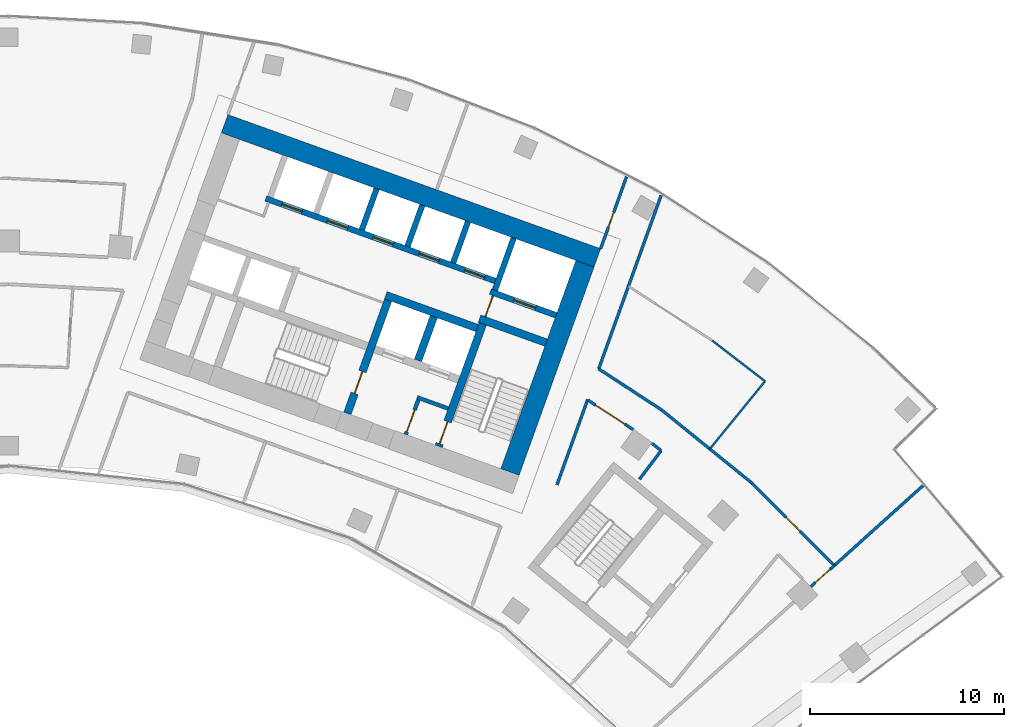
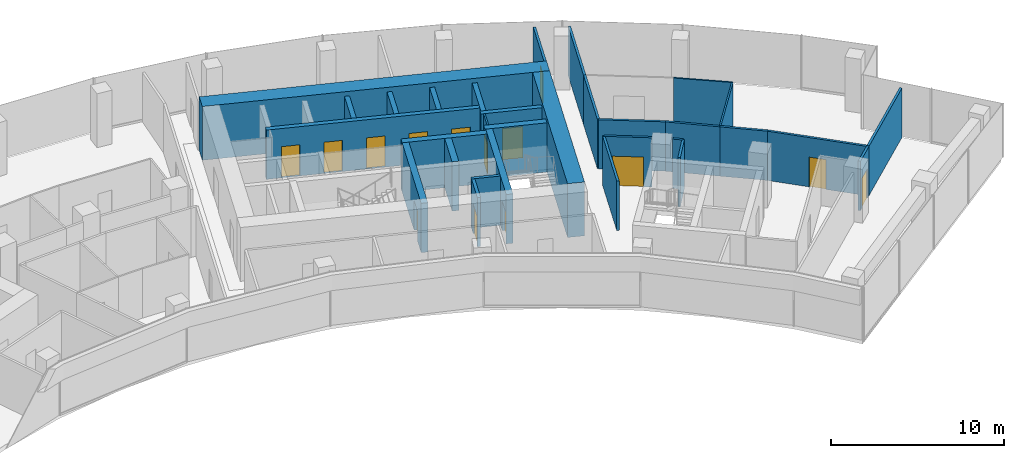
# One storey, part 16 of 19: 31 walls, 14 doors, 14 openings.
"""IFC4 building model written with IfcOpenShell, lengths in metres."""

import ifcopenshell
import ifcopenshell.guid

model = None  # the IFC model being written
_history = None  # IfcOwnerHistory: only IFC2X3 demands one
_inside = {}  # id of a spatial element -> (the spatial element, [elements in it])
_under = {}  # id of a project, library or spatial element -> (it, [spatial elements below it])
_declared = {}  # id of a project -> (the project, [libraries it declares])
_typed = {}  # id of a type object -> (the type object, [elements of that type])
_made_of = {}  # id of a material, layer set ... -> (it, [elements and type objects made of it])


def new_model(schema):
    """Start an empty IFC model of exactly this schema.

    Asked for "IFC4X3", IfcOpenShell would pick the latest addendum, in which some entities
    have other attributes; the version numbers below select the first issue.
    IFC2X3 requires an IfcOwnerHistory on every rooted entity: one is made here for all.
    """
    global model, _history
    if schema == "IFC4X3":
        model = ifcopenshell.file(schema_version=(4, 3, 0, 0))
    else:
        model = ifcopenshell.file(schema=schema)
    _inside.clear()
    _under.clear()
    _declared.clear()
    _typed.clear()
    _made_of.clear()
    _history = None
    if model.schema == "IFC2X3":
        org = make("IfcOrganization", Name="unknown")
        user = make(
            "IfcPersonAndOrganization",
            ThePerson=make("IfcPerson", FamilyName="unknown"),
            TheOrganization=org,
        )
        app = make(
            "IfcApplication",
            ApplicationDeveloper=org,
            Version="unknown",
            ApplicationFullName="unknown",
            ApplicationIdentifier="unknown",
        )
        _history = make(
            "IfcOwnerHistory",
            OwningUser=user,
            OwningApplication=app,
            ChangeAction="ADDED",
            CreationDate=0,
        )
    return model


def make(cls, **values):
    """One entity of the class cls with the attributes given. An attribute that is None is left unset."""
    return model.create_entity(
        cls, **{name: value for name, value in values.items() if value is not None}
    )


def rooted(cls, **values):
    """An entity with a GlobalId (a new one), such as an element, a storey or a relation."""
    return make(cls, GlobalId=ifcopenshell.guid.new(), OwnerHistory=_history, **values)


def si_unit(unit_type, name, prefix=None):
    """IfcSIUnit, for example si_unit("LENGTHUNIT", "METRE", prefix="MILLI")."""
    return make("IfcSIUnit", UnitType=unit_type, Prefix=prefix, Name=name)


def assignment(units):
    """IfcUnitAssignment: the units of a project."""
    return None if units is None else make("IfcUnitAssignment", Units=units)


def point(xyz):
    """IfcCartesianPoint."""
    return None if xyz is None else make("IfcCartesianPoint", Coordinates=xyz)


def direction(xyz):
    """IfcDirection."""
    return None if xyz is None else make("IfcDirection", DirectionRatios=xyz)


def frame(location, z_axis=None, x_axis=None):
    """IfcAxis2Placement3D, a coordinate frame: its origin and axes. An axis left out is left unset."""
    return make(
        "IfcAxis2Placement3D",
        Location=point(location),
        Axis=direction(z_axis),
        RefDirection=direction(x_axis),
    )


def frame_2d(location, x_axis=None):
    """IfcAxis2Placement2D, a coordinate frame in the plane: its origin and x axis."""
    return make(
        "IfcAxis2Placement2D", Location=point(location), RefDirection=direction(x_axis)
    )


def origin():
    """The frame at (0, 0, 0) with its axes left unset."""
    return frame((0.0, 0.0, 0.0))


def place(relative_to, where):
    """IfcLocalPlacement: puts the frame where relative to a parent placement (None: the world)."""
    return make(
        "IfcLocalPlacement", PlacementRelTo=relative_to, RelativePlacement=where
    )


def context(
    kind, dimensions, precision=None, world=None, true_north=None, identifier=None
):
    """IfcGeometricRepresentationContext, for example the 3D "Model" context."""
    return make(
        "IfcGeometricRepresentationContext",
        ContextIdentifier=identifier,
        ContextType=kind,
        CoordinateSpaceDimension=dimensions,
        Precision=precision,
        WorldCoordinateSystem=world,
        TrueNorth=true_north,
    )


def subcontext(parent, identifier, kind, view, scale=None):
    """IfcGeometricRepresentationSubContext, for example "Body" below "Model"."""
    return make(
        "IfcGeometricRepresentationSubContext",
        ContextIdentifier=identifier,
        ContextType=kind,
        ParentContext=parent,
        TargetScale=scale,
        TargetView=view,
    )


def project(units=None, contexts=None):
    """IfcProject with its units and contexts."""
    return rooted(
        "IfcProject",
        Name="project",
        RepresentationContexts=contexts,
        UnitsInContext=assignment(units),
    )


def spatial(cls, under=None, at=None, **own):
    """A site, building, storey or space (cls), placed at a placement, below another one or the project."""
    s = rooted(cls, ObjectPlacement=at, **own)
    if under is not None:
        _under.setdefault(under.id(), (under, []))[1].append(s)
    return s


def profile(cls, at=None, kind="AREA", **sizes):
    """A parametric profile (cls). Its sizes go by their IFC names, for example OverallWidth=200.0."""
    return make(cls, ProfileType=kind, Position=at, **sizes)


def rectangle(**sizes):
    """IfcRectangleProfileDef."""
    return profile("IfcRectangleProfileDef", **sizes)


def extrude(swept, where, along, depth):
    """IfcExtrudedAreaSolid: the profile swept, set in the frame where, extruded along a direction by depth."""
    return make(
        "IfcExtrudedAreaSolid",
        SweptArea=swept,
        Position=where,
        ExtrudedDirection=direction(along),
        Depth=depth,
    )


def shape(context_of_items, identifier, shape_type, items):
    """IfcShapeRepresentation: the items that make up one representation, for example the "Body"."""
    return make(
        "IfcShapeRepresentation",
        ContextOfItems=context_of_items,
        RepresentationIdentifier=identifier,
        RepresentationType=shape_type,
        Items=items,
    )


def material(Name=None, Category=None):
    """IfcMaterial."""
    return make("IfcMaterial", Name=Name, Category=Category)


def layer(
    of_material, thickness, ventilated=None, Name=None, Category=None, Priority=None
):
    """IfcMaterialLayer: one layer of a wall or slab, of a material (None: an air gap)."""
    return make(
        "IfcMaterialLayer",
        Material=of_material,
        LayerThickness=thickness,
        IsVentilated=ventilated,
        Name=Name,
        Category=Category,
        Priority=Priority,
    )


def layer_set(layers, Name=None):
    """IfcMaterialLayerSet."""
    return make("IfcMaterialLayerSet", MaterialLayers=layers, LayerSetName=Name)


def made_of(thing, what):
    """Note that an element or type object is made of a material, layer set ...; save() writes the relation."""
    if what is not None:
        _made_of.setdefault(what.id(), (what, []))[1].append(thing)
    return thing


def type_object(cls, material=None, **own):
    """A type object (cls), such as IfcWallType, which elements share."""
    return made_of(rooted(cls, **own), material)


def element(
    cls,
    number,
    at=None,
    inside=None,
    cuts=None,
    type_object=None,
    material=None,
    context=None,
    identifier="Body",
    shape_type=None,
    held_by="IfcProductDefinitionShape",
    body=None,
    shapes=None,
    **own,
):
    """One element of the class cls, such as IfcWall. Its Tag is "e" and its number.

    at: its placement. inside: the storey or other place that contains it. cuts: it is an
    opening in that element (IfcRelVoidsElement). A single representation is given by context,
    identifier, shape_type and body (its items); several are given by shapes. held_by: the class
    of the entity that holds the representations. save() writes the other relations.
    """
    e = rooted(cls, Tag="e%d" % number, ObjectPlacement=at, **own)
    if body is not None:
        shapes = [shape(context, identifier, shape_type, body)]
    if shapes is not None:
        e.Representation = make(held_by, Representations=shapes)
    if inside is not None:
        _inside.setdefault(inside.id(), (inside, []))[1].append(e)
    if cuts is not None:
        rooted(
            "IfcRelVoidsElement", RelatingBuildingElement=cuts, RelatedOpeningElement=e
        )
    if type_object is not None:
        _typed.setdefault(type_object.id(), (type_object, []))[1].append(e)
    return made_of(e, material)


def fill(opening, filler):
    """IfcRelFillsElement: the door or window that sits in an opening."""
    return rooted(
        "IfcRelFillsElement",
        RelatingOpeningElement=opening,
        RelatedBuildingElement=filler,
    )


def aggregate(whole, parts):
    """IfcRelAggregates: a whole, such as a stair, and the parts it consists of."""
    return rooted("IfcRelAggregates", RelatingObject=whole, RelatedObjects=parts)


def save(model, path):
    """Write the relations noted so far, then the file.

    IfcRelAggregates (storeys below a building ...), IfcRelContainedInSpatialStructure (elements
    in a storey), IfcRelDefinesByType, IfcRelAssociatesMaterial and IfcRelDeclares: one each for
    every whole, place, type object, material and project.
    """
    for whole, parts in _under.values():
        aggregate(whole, parts)
    for where, things in _inside.values():
        rooted(
            "IfcRelContainedInSpatialStructure",
            RelatedElements=things,
            RelatingStructure=where,
        )
    for kind, things in _typed.values():
        rooted("IfcRelDefinesByType", RelatedObjects=things, RelatingType=kind)
    for what, things in _made_of.values():
        rooted("IfcRelAssociatesMaterial", RelatedObjects=things, RelatingMaterial=what)
    for by, libraries in _declared.values():
        rooted("IfcRelDeclares", RelatingContext=by, RelatedDefinitions=libraries)
    model.write(path)


model = new_model("IFC4")

# Units and contexts
model_context = context("Model", 3, precision=1e-05, world=origin(), true_north=direction((0.0, 1.0)))
body_context = subcontext(model_context, "Body", "Model", "MODEL_VIEW")
ifc_project = project(units=[si_unit("LENGTHUNIT", "METRE"), si_unit("AREAUNIT", "SQUARE_METRE"), si_unit("VOLUMEUNIT", "CUBIC_METRE"), si_unit("PLANEANGLEUNIT", "RADIAN"), si_unit("MASSUNIT", "GRAM", prefix="KILO")], contexts=[model_context])

# Site, building, storey
site_placement = place(None, origin())
site = spatial("IfcSite", under=ifc_project, at=site_placement, CompositionType="ELEMENT")
building_placement = place(site_placement, origin())
building = spatial("IfcBuilding", under=site, at=building_placement, Name="Stone Belt Terrace Tower", CompositionType="ELEMENT")
storey_placement = place(building_placement, frame((0.0, 0.0, 208.60009765625)))
storey = spatial("IfcBuildingStorey", under=building, at=storey_placement, Name="L50", CompositionType="ELEMENT", Elevation=208.60009765625)

# Wall, opening, door
ifc_material_1 = material(Name="Plasterboard partition")
ifc_layer_1 = layer(ifc_material_1, 0.10009765625)
ifc_layer_set_1 = layer_set([ifc_layer_1], Name="Core partition 100")
wall_type_1 = type_object("IfcWallType", Name="Core partition 100", PredefinedType="PARTITIONING", material=ifc_layer_set_1)
wall_1_placement = place(storey_placement, frame((24.555908203125, 51.10400390625, 0.0), z_axis=(0.0, 0.0, 1.0), x_axis=(0.338621735342, 0.94092258999, 0.0)))
wall_1 = element("IfcWall", 1, at=wall_1_placement, inside=storey, type_object=wall_type_1, Name="Core B wall", PredefinedType="PARTITIONING", context=body_context, shape_type="SweptSolid", body=[
    extrude(rectangle(XDim=1.14990234375, YDim=0.10009765625, at=frame_2d((0.574951171875, 0.0))), origin(), (0.0, 0.0, 1.0), 3.47998046875),
])
opening_1_placement = place(wall_1_placement, frame((0.050048828125, 0.0, 0.0)))
opening_1 = element("IfcOpeningElement", 2, at=opening_1_placement, cuts=wall_1, Name="Opening L50-C14", PredefinedType="OPENING", context=body_context, shape_type="SweptSolid", body=[
    extrude(rectangle(XDim=1.0, YDim=2.10009765625, at=frame_2d((0.5, 1.050048828125))), frame((0.0, 0.06005859375, 0.0), z_axis=(0.0, -1.0, 0.0), x_axis=(1.0, 0.0, 0.0)), (0.0, 0.0, 1.0), 0.1201171875),
])
ifc_material_2 = material(Name="Timber door leaf", Category="wood")
door_type_1 = type_object("IfcDoorType", Name="Core room door 1000", OperationType="SINGLE_SWING_LEFT", PredefinedType="DOOR", material=ifc_material_2)
door_1_placement = place(opening_1_placement, origin())
door_1 = element("IfcDoor", 3, at=door_1_placement, inside=storey, type_object=door_type_1, Name="Service lift lobby door core B", OperationType="SINGLE_SWING_LEFT", OverallHeight=2.10009765625, OverallWidth=1.0, PredefinedType="DOOR", context=body_context, shape_type="SweptSolid", body=[
    extrude(rectangle(XDim=1.0, YDim=2.10009765625, at=frame_2d((0.5, 1.050048828125))), frame((0.0, 0.02490234375, 0.0), z_axis=(0.0, -1.0, 0.0), x_axis=(1.0, 0.0, 0.0)), (0.0, 0.0, 1.0), 0.050048828125),
])
fill(opening_1, door_1)

# Walls
ifc_material_3 = material(Name="Concrete B60", Category="concrete")
ifc_layer_2 = layer(ifc_material_3, 1.0)
ifc_layer_set_2 = layer_set([ifc_layer_2], Name="Core wall 1000 B60")
wall_type_2 = type_object("IfcWallType", Name="Core wall 1000 B60", PredefinedType="SHEAR", material=ifc_layer_set_2)
wall_2_placement = place(storey_placement, frame((11.12646484375, 61.038330078125, 0.0), z_axis=(0.0, 0.0, 1.0), x_axis=(0.940921428504, -0.338624962727, 0.0)))
element("IfcWall", 4, at=wall_2_placement, inside=storey, type_object=wall_type_2, Name="Core B wall convex L50", PredefinedType="SHEAR", context=body_context, shape_type="SweptSolid", body=[
    extrude(rectangle(XDim=20.400146484375, YDim=1.0, at=frame_2d((10.2001953125, 0.0))), origin(), (0.0, 0.0, 1.0), 3.7998046875),
])
wall_3_placement = place(storey_placement, frame((25.821044921875, 43.102783203125, 0.0), z_axis=(0.0, 0.0, 1.0), x_axis=(0.338625431531, 0.940921259788, 0.0)))
element("IfcWall", 5, at=wall_3_placement, inside=storey, type_object=wall_type_2, Name="Core B wall end_b L50", PredefinedType="SHEAR", context=body_context, shape_type="SweptSolid", body=[
    extrude(rectangle(XDim=11.400146484375, YDim=1.0, at=frame_2d((5.7001953125, 0.0))), origin(), (0.0, 0.0, 1.0), 3.7998046875),
])
ifc_material_4 = material(Name="Concrete B80", Category="concrete")
ifc_layer_3 = layer(ifc_material_4, 0.39990234375)
ifc_layer_set_3 = layer_set([ifc_layer_3], Name="Fire-fighting lift shaft wall 400")
wall_type_3 = type_object("IfcWallType", Name="Fire-fighting lift shaft wall 400", PredefinedType="SHEAR", material=ifc_layer_set_3)
wall_4_placement = place(storey_placement, frame((24.130615234375, 50.512939453125, 0.0), z_axis=(0.0, 0.0, 1.0), x_axis=(-0.94091168377, 0.338652038744, 0.0)))
element("IfcWall", 6, at=wall_4_placement, inside=storey, type_object=wall_type_3, Name="Core B wall", PredefinedType="SHEAR", context=body_context, shape_type="SweptSolid", body=[
    extrude(rectangle(XDim=5.000244140625, YDim=0.39990234375, at=frame_2d((2.5, 0.0))), origin(), (0.0, 0.0, 1.0), 3.47998046875),
])
wall_5_placement = place(storey_placement, frame((21.0859375, 48.845458984375, 0.0), z_axis=(0.0, 0.0, 1.0), x_axis=(0.338629416206, 0.940919825745, 0.0)))
element("IfcWall", 7, at=wall_5_placement, inside=storey, type_object=wall_type_3, Name="Core B wall", PredefinedType="SHEAR", context=body_context, shape_type="SweptSolid", body=[
    extrude(rectangle(XDim=2.400146484375, YDim=0.39990234375, at=frame_2d((1.2001953125, 0.0))), origin(), (0.0, 0.0, 1.0), 3.47998046875),
])

# Wall, opening, door
ifc_layer_4 = layer(ifc_material_4, 0.300048828125)
ifc_layer_set_4 = layer_set([ifc_layer_4], Name="Lift shaft wall 300")
wall_type_4 = type_object("IfcWallType", Name="Lift shaft wall 300", PredefinedType="SHEAR", material=ifc_layer_set_4)
wall_6_placement = place(storey_placement, frame((28.195068359375, 51.17578125, 0.0), z_axis=(0.0, 0.0, 1.0), x_axis=(-0.940901243567, 0.338681044427, 0.0)))
wall_6 = element("IfcWall", 8, at=wall_6_placement, inside=storey, type_object=wall_type_4, Name="Core B wall", PredefinedType="SHEAR", context=body_context, shape_type="SweptSolid", body=[
    extrude(rectangle(XDim=3.599853515625, YDim=0.300048828125, at=frame_2d((1.7998046875, 0.0))), origin(), (0.0, 0.0, 1.0), 3.47998046875),
])
opening_2_placement = place(wall_6_placement, frame((1.1201171875, 0.0, 0.0)))
opening_2 = element("IfcOpeningElement", 9, at=opening_2_placement, cuts=wall_6, Name="Opening L50-LD16", PredefinedType="OPENING", context=body_context, shape_type="SweptSolid", body=[
    extrude(rectangle(XDim=1.199951171875, YDim=2.199951171875, at=frame_2d((0.60009765625, 1.10009765625))), frame((0.0, 0.159912109375, 0.0), z_axis=(0.0, -1.0, 0.0), x_axis=(1.0, 0.0, 0.0)), (0.0, 0.0, 1.0), 0.320068359375),
])
ifc_material_5 = material(Name="Stainless steel door leaf", Category="steel")
door_type_2 = type_object("IfcDoorType", Name="Landing door 1200", OperationType="SLIDING_TO_LEFT", PredefinedType="DOOR", material=ifc_material_5)
door_2_placement = place(opening_2_placement, origin())
door_2 = element("IfcDoor", 10, at=door_2_placement, inside=storey, type_object=door_type_2, Name="Landing door SV1 core B", OperationType="SLIDING_TO_LEFT", OverallHeight=2.199951171875, OverallWidth=1.199951171875, PredefinedType="DOOR", context=body_context, shape_type="SweptSolid", body=[
    extrude(rectangle(XDim=1.199951171875, YDim=2.199951171875, at=frame_2d((0.60009765625, 1.10009765625))), frame((0.0, 0.02490234375, 0.0), z_axis=(0.0, -1.0, 0.0), x_axis=(1.0, 0.0, 0.0)), (0.0, 0.0, 1.0), 0.050048828125),
])
fill(opening_2, door_2)

# Wall
wall_7_placement = place(storey_placement, frame((25.046875, 52.46826171875, 0.0), z_axis=(0.0, 0.0, 1.0), x_axis=(0.338549588058, 0.940948551423, 0.0)))
element("IfcWall", 11, at=wall_7_placement, inside=storey, type_object=wall_type_4, Name="Core B wall", PredefinedType="SHEAR", context=body_context, shape_type="SweptSolid", body=[
    extrude(rectangle(XDim=2.849853515625, YDim=0.300048828125, at=frame_2d((1.4248046875, 0.0))), origin(), (0.0, 0.0, 1.0), 3.47998046875),
])

# Wall, openings, doors
wall_8_placement = place(storey_placement, frame((25.05810546875, 52.9423828125, 0.0), z_axis=(0.0, 0.0, 1.0), x_axis=(-0.940921381676, 0.338625092847, 0.0)))
wall_8 = element("IfcWall", 12, at=wall_8_placement, inside=storey, type_object=wall_type_4, Name="Core B wall", PredefinedType="SHEAR", context=body_context, shape_type="SweptSolid", body=[
    extrude(rectangle(XDim=12.550048828125, YDim=0.300048828125, at=frame_2d((6.27490234375, 0.0))), origin(), (0.0, 0.0, 1.0), 3.47998046875),
])
opening_3_placement = place(wall_8_placement, frame((0.570068359375, 0.0, 0.0)))
opening_3 = element("IfcOpeningElement", 13, at=opening_3_placement, cuts=wall_8, Name="Opening L50-LD09", PredefinedType="OPENING", context=body_context, shape_type="SweptSolid", body=[
    extrude(rectangle(XDim=1.10009765625, YDim=2.199951171875, at=frame_2d((0.550048828125, 1.10009765625))), frame((0.0, 0.159912109375, 0.0), z_axis=(0.0, -1.0, 0.0), x_axis=(1.0, 0.0, 0.0)), (0.0, 0.0, 1.0), 0.320068359375),
])
opening_4_placement = place(wall_8_placement, frame((3.070068359375, 0.0, 0.0)))
opening_4 = element("IfcOpeningElement", 14, at=opening_4_placement, cuts=wall_8, Name="Opening L50-LD10", PredefinedType="OPENING", context=body_context, shape_type="SweptSolid", body=[
    extrude(rectangle(XDim=1.10009765625, YDim=2.199951171875, at=frame_2d((0.550048828125, 1.10009765625))), frame((0.0, 0.159912109375, 0.0), z_axis=(0.0, -1.0, 0.0), x_axis=(1.0, 0.0, 0.0)), (0.0, 0.0, 1.0), 0.320068359375),
])
opening_5_placement = place(wall_8_placement, frame((5.570068359375, 0.0, 0.0)))
opening_5 = element("IfcOpeningElement", 15, at=opening_5_placement, cuts=wall_8, Name="Opening L50-LD11", PredefinedType="OPENING", context=body_context, shape_type="SweptSolid", body=[
    extrude(rectangle(XDim=1.10009765625, YDim=2.199951171875, at=frame_2d((0.550048828125, 1.10009765625))), frame((0.0, 0.159912109375, 0.0), z_axis=(0.0, -1.0, 0.0), x_axis=(1.0, 0.0, 0.0)), (0.0, 0.0, 1.0), 0.320068359375),
])
opening_6_placement = place(wall_8_placement, frame((8.070068359375, 0.0, 0.0)))
opening_6 = element("IfcOpeningElement", 16, at=opening_6_placement, cuts=wall_8, Name="Opening L50-LD12", PredefinedType="OPENING", context=body_context, shape_type="SweptSolid", body=[
    extrude(rectangle(XDim=1.10009765625, YDim=2.199951171875, at=frame_2d((0.550048828125, 1.10009765625))), frame((0.0, 0.159912109375, 0.0), z_axis=(0.0, -1.0, 0.0), x_axis=(1.0, 0.0, 0.0)), (0.0, 0.0, 1.0), 0.320068359375),
])
opening_7_placement = place(wall_8_placement, frame((10.570068359375, 0.0, 0.0)))
opening_7 = element("IfcOpeningElement", 17, at=opening_7_placement, cuts=wall_8, Name="Opening L50-LD13", PredefinedType="OPENING", context=body_context, shape_type="SweptSolid", body=[
    extrude(rectangle(XDim=1.10009765625, YDim=2.199951171875, at=frame_2d((0.550048828125, 1.10009765625))), frame((0.0, 0.159912109375, 0.0), z_axis=(0.0, -1.0, 0.0), x_axis=(1.0, 0.0, 0.0)), (0.0, 0.0, 1.0), 0.320068359375),
])
door_type_3 = type_object("IfcDoorType", Name="Landing door 1100", OperationType="SLIDING_TO_LEFT", PredefinedType="DOOR", material=ifc_material_5)
door_3_placement = place(opening_3_placement, origin())
door_3 = element("IfcDoor", 18, at=door_3_placement, inside=storey, type_object=door_type_3, Name="Landing door MR1 core B", OperationType="SLIDING_TO_LEFT", OverallHeight=2.199951171875, OverallWidth=1.10009765625, PredefinedType="DOOR", context=body_context, shape_type="SweptSolid", body=[
    extrude(rectangle(XDim=1.10009765625, YDim=2.199951171875, at=frame_2d((0.550048828125, 1.10009765625))), frame((0.0, 0.02490234375, 0.0), z_axis=(0.0, -1.0, 0.0), x_axis=(1.0, 0.0, 0.0)), (0.0, 0.0, 1.0), 0.050048828125),
])
fill(opening_3, door_3)
door_4_placement = place(opening_4_placement, origin())
door_4 = element("IfcDoor", 19, at=door_4_placement, inside=storey, type_object=door_type_3, Name="Landing door MR2 core B", OperationType="SLIDING_TO_LEFT", OverallHeight=2.199951171875, OverallWidth=1.10009765625, PredefinedType="DOOR", context=body_context, shape_type="SweptSolid", body=[
    extrude(rectangle(XDim=1.10009765625, YDim=2.199951171875, at=frame_2d((0.550048828125, 1.10009765625))), frame((0.0, 0.02490234375, 0.0), z_axis=(0.0, -1.0, 0.0), x_axis=(1.0, 0.0, 0.0)), (0.0, 0.0, 1.0), 0.050048828125),
])
fill(opening_4, door_4)
door_5_placement = place(opening_5_placement, origin())
door_5 = element("IfcDoor", 20, at=door_5_placement, inside=storey, type_object=door_type_3, Name="Landing door MR3 core B", OperationType="SLIDING_TO_LEFT", OverallHeight=2.199951171875, OverallWidth=1.10009765625, PredefinedType="DOOR", context=body_context, shape_type="SweptSolid", body=[
    extrude(rectangle(XDim=1.10009765625, YDim=2.199951171875, at=frame_2d((0.550048828125, 1.10009765625))), frame((0.0, 0.02490234375, 0.0), z_axis=(0.0, -1.0, 0.0), x_axis=(1.0, 0.0, 0.0)), (0.0, 0.0, 1.0), 0.050048828125),
])
fill(opening_5, door_5)
door_6_placement = place(opening_6_placement, origin())
door_6 = element("IfcDoor", 21, at=door_6_placement, inside=storey, type_object=door_type_3, Name="Landing door MR4 core B", OperationType="SLIDING_TO_LEFT", OverallHeight=2.199951171875, OverallWidth=1.10009765625, PredefinedType="DOOR", context=body_context, shape_type="SweptSolid", body=[
    extrude(rectangle(XDim=1.10009765625, YDim=2.199951171875, at=frame_2d((0.550048828125, 1.10009765625))), frame((0.0, 0.02490234375, 0.0), z_axis=(0.0, -1.0, 0.0), x_axis=(1.0, 0.0, 0.0)), (0.0, 0.0, 1.0), 0.050048828125),
])
fill(opening_6, door_6)
door_7_placement = place(opening_7_placement, origin())
door_7 = element("IfcDoor", 22, at=door_7_placement, inside=storey, type_object=door_type_3, Name="Landing door MR5 core B", OperationType="SLIDING_TO_LEFT", OverallHeight=2.199951171875, OverallWidth=1.10009765625, PredefinedType="DOOR", context=body_context, shape_type="SweptSolid", body=[
    extrude(rectangle(XDim=1.10009765625, YDim=2.199951171875, at=frame_2d((0.550048828125, 1.10009765625))), frame((0.0, 0.02490234375, 0.0), z_axis=(0.0, -1.0, 0.0), x_axis=(1.0, 0.0, 0.0)), (0.0, 0.0, 1.0), 0.050048828125),
])
fill(opening_7, door_7)

# Walls
wall_9_placement = place(storey_placement, frame((22.897705078125, 53.87939453125, 0.0), z_axis=(0.0, 0.0, 1.0), x_axis=(0.338535034312, 0.940953787677, 0.0)))
element("IfcWall", 23, at=wall_9_placement, inside=storey, type_object=wall_type_4, Name="Core B wall", PredefinedType="SHEAR", context=body_context, shape_type="SweptSolid", body=[
    extrude(rectangle(XDim=2.25, YDim=0.300048828125, at=frame_2d((1.125, 0.0))), origin(), (0.0, 0.0, 1.0), 3.47998046875),
])
wall_10_placement = place(storey_placement, frame((20.54541015625, 54.72607421875, 0.0), z_axis=(0.0, 0.0, 1.0), x_axis=(0.338569601369, 0.940941350472, 0.0)))
element("IfcWall", 24, at=wall_10_placement, inside=storey, type_object=wall_type_4, Name="Core B wall", PredefinedType="SHEAR", context=body_context, shape_type="SweptSolid", body=[
    extrude(rectangle(XDim=2.249755859375, YDim=0.300048828125, at=frame_2d((1.125, 0.0))), origin(), (0.0, 0.0, 1.0), 3.47998046875),
])
wall_11_placement = place(storey_placement, frame((18.193115234375, 55.572509765625, 0.0), z_axis=(0.0, 0.0, 1.0), x_axis=(0.338535034312, 0.940953787677, 0.0)))
element("IfcWall", 25, at=wall_11_placement, inside=storey, type_object=wall_type_4, Name="Core B wall", PredefinedType="SHEAR", context=body_context, shape_type="SweptSolid", body=[
    extrude(rectangle(XDim=2.25, YDim=0.300048828125, at=frame_2d((1.125, 0.0))), origin(), (0.0, 0.0, 1.0), 3.47998046875),
])
ifc_material_6 = material(Name="Gypsum board partition")
ifc_layer_5 = layer(ifc_material_6, 0.10009765625)
ifc_layer_set_5 = layer_set([ifc_layer_5], Name="PARTITION 100")
wall_type_5 = type_object("IfcWallType", Name="PARTITION 100", PredefinedType="PARTITIONING", material=ifc_layer_set_5)
wall_12_placement = place(storey_placement, frame((36.113037109375, 44.2900390625, 0.0), z_axis=(0.0, 0.0, 1.0), x_axis=(0.631794915576, 0.77513559114, 0.0)))
element("IfcWall", 26, at=wall_12_placement, inside=storey, type_object=wall_type_5, Name="L50/wall/i069", PredefinedType="PARTITIONING", context=body_context, shape_type="SweptSolid", body=[
    extrude(rectangle(XDim=4.5, YDim=0.10009765625, at=frame_2d((2.25, 0.0))), origin(), (0.0, 0.0, 1.0), 3.47998046875),
])
wall_13_placement = place(storey_placement, frame((38.9560546875, 47.778076171875, 0.0), z_axis=(0.0, 0.0, 1.0), x_axis=(-0.792351688329, 0.610064588385, 0.0)))
element("IfcWall", 27, at=wall_13_placement, inside=storey, type_object=wall_type_5, Name="L50/wall/i070", PredefinedType="PARTITIONING", context=body_context, shape_type="SweptSolid", body=[
    extrude(rectangle(XDim=3.43408203125, YDim=0.10009765625, at=frame_2d((1.717041015625, 0.0))), origin(), (0.0, 0.0, 1.0), 3.47998046875),
])

# Wall, opening, door
ifc_layer_6 = layer(ifc_material_6, 0.14990234375)
ifc_layer_set_6 = layer_set([ifc_layer_6], Name="PARTITION 150 EI 60")
wall_type_6 = type_object("IfcWallType", Name="PARTITION 150 EI 60", PredefinedType="PARTITIONING", material=ifc_layer_set_6)
wall_14_placement = place(storey_placement, frame((30.490966796875, 54.60107421875, 0.0), z_axis=(0.0, 0.0, 1.0), x_axis=(0.338542007836, 0.940951278723, 0.0)))
wall_14 = element("IfcWall", 28, at=wall_14_placement, inside=storey, type_object=wall_type_6, Name="L50/wall/i028", PredefinedType="PARTITIONING", context=body_context, shape_type="SweptSolid", body=[
    extrude(rectangle(XDim=3.946044921875, YDim=0.14990234375, at=frame_2d((1.97314453125, 0.0))), origin(), (0.0, 0.0, 1.0), 3.47998046875),
])
opening_8_placement = place(wall_14_placement, frame((1.191162109375, 0.0, 0.0)))
opening_8 = element("IfcOpeningElement", 29, at=opening_8_placement, cuts=wall_14, Name="Opening D-D2-10", PredefinedType="OPENING", context=body_context, shape_type="SweptSolid", body=[
    extrude(rectangle(XDim=0.800048828125, YDim=2.10009765625, at=frame_2d((0.39990234375, 1.050048828125))), frame((0.0, 0.0849609375, 0.0), z_axis=(0.0, -1.0, 0.0), x_axis=(1.0, 0.0, 0.0)), (0.0, 0.0, 1.0), 0.169921875),
])
door_type_4 = type_object("IfcDoorType", Name="STORE DOOR 800 X 2100", OperationType="NOTDEFINED", PredefinedType="DOOR", material=ifc_material_2)
door_8_placement = place(opening_8_placement, origin())
door_8 = element("IfcDoor", 30, at=door_8_placement, inside=storey, type_object=door_type_4, Name="L50/door/i10", OperationType="SINGLE_SWING_LEFT", OverallHeight=2.10009765625, OverallWidth=0.800048828125, PredefinedType="DOOR", context=body_context, shape_type="SweptSolid", body=[
    extrude(rectangle(XDim=0.800048828125, YDim=2.10009765625, at=frame_2d((0.39990234375, 1.050048828125))), frame((0.0, 0.02490234375, 0.0), z_axis=(0.0, -1.0, 0.0), x_axis=(1.0, 0.0, 0.0)), (0.0, 0.0, 1.0), 0.050048828125),
])
fill(opening_8, door_8)

# Walls
wall_15_placement = place(storey_placement, frame((29.819091796875, 46.826904296875, 0.0), z_axis=(0.0, 0.0, 1.0), x_axis=(-0.338628568837, -0.940920130706, 0.0)))
element("IfcWall", 31, at=wall_15_placement, inside=storey, type_object=wall_type_6, Name="L50/wall/i029", PredefinedType="PARTITIONING", context=body_context, shape_type="SweptSolid", body=[
    extrude(rectangle(XDim=4.660400390625, YDim=0.14990234375, at=frame_2d((2.330078125, 0.0))), origin(), (0.0, 0.0, 1.0), 3.47998046875),
])
wall_16_placement = place(storey_placement, frame((33.60791015625, 57.35400390625, 0.0), z_axis=(0.0, 0.0, 1.0), x_axis=(-0.33866393148, -0.940907403263, 0.0)))
element("IfcWall", 32, at=wall_16_placement, inside=storey, type_object=wall_type_6, Name="L50/wall/i031", PredefinedType="PARTITIONING", context=body_context, shape_type="SweptSolid", body=[
    extrude(rectangle(XDim=4.9814453125, YDim=0.14990234375, at=frame_2d((2.49072265625, 0.0))), origin(), (0.0, 0.0, 1.0), 3.47998046875),
])
wall_17_placement = place(storey_placement, frame((31.925048828125, 52.678955078125, 0.0), z_axis=(0.0, 0.0, 1.0), x_axis=(-0.338578458455, -0.940938163468, 0.0)))
element("IfcWall", 33, at=wall_17_placement, inside=storey, type_object=wall_type_6, Name="L50/wall/i032", PredefinedType="PARTITIONING", context=body_context, shape_type="SweptSolid", body=[
    extrude(rectangle(XDim=4.537109375, YDim=0.14990234375, at=frame_2d((2.2685546875, 0.0))), origin(), (0.0, 0.0, 1.0), 3.47998046875),
])

# Wall, opening, door
wall_18_placement = place(storey_placement, frame((42.531005859375, 38.2939453125, 0.0), z_axis=(0.0, 0.0, 1.0), x_axis=(-0.743450987947, -0.668790421972, 0.0)))
wall_18 = element("IfcWall", 34, at=wall_18_placement, inside=storey, type_object=wall_type_6, Name="L50/wall/i056", PredefinedType="PARTITIONING", context=body_context, shape_type="SweptSolid", body=[
    extrude(rectangle(XDim=1.625244140625, YDim=0.14990234375, at=frame_2d((0.8125, 0.0))), origin(), (0.0, 0.0, 1.0), 3.47998046875),
])
opening_9_placement = place(wall_18_placement, frame((0.312744140625, 0.0, 0.0)))
opening_9 = element("IfcOpeningElement", 35, at=opening_9_placement, cuts=wall_18, Name="Opening D-D2-17", PredefinedType="OPENING", context=body_context, shape_type="SweptSolid", body=[
    extrude(rectangle(XDim=1.0, YDim=2.10009765625, at=frame_2d((0.5, 1.050048828125))), frame((0.0, 0.0849609375, 0.0), z_axis=(0.0, -1.0, 0.0), x_axis=(1.0, 0.0, 0.0)), (0.0, 0.0, 1.0), 0.169921875),
])
ifc_material_7 = material(Name="Timber fire door leaf", Category="wood")
door_type_5 = type_object("IfcDoorType", Name="TENANCY ENTRANCE DOOR 1000 X 2100", OperationType="NOTDEFINED", PredefinedType="DOOR", material=ifc_material_7)
door_9_placement = place(opening_9_placement, origin())
door_9 = element("IfcDoor", 36, at=door_9_placement, inside=storey, type_object=door_type_5, Name="L50/door/i17", OperationType="SINGLE_SWING_RIGHT", OverallHeight=2.10009765625, OverallWidth=1.0, PredefinedType="DOOR", context=body_context, shape_type="SweptSolid", body=[
    extrude(rectangle(XDim=1.0, YDim=2.10009765625, at=frame_2d((0.5, 1.050048828125))), frame((0.0, 0.02490234375, 0.0), z_axis=(0.0, -1.0, 0.0), x_axis=(1.0, 0.0, 0.0)), (0.0, 0.0, 1.0), 0.050048828125),
])
fill(opening_9, door_9)

# Walls
wall_19_placement = place(storey_placement, frame((42.52197265625, 38.287109375, 0.0), z_axis=(0.0, 0.0, 1.0), x_axis=(0.743181838168, 0.669089497315, 0.0)))
element("IfcWall", 37, at=wall_19_placement, inside=storey, type_object=wall_type_6, Name="L50/wall/i058", PredefinedType="PARTITIONING", context=body_context, shape_type="SweptSolid", body=[
    extrude(rectangle(XDim=6.161865234375, YDim=0.14990234375, at=frame_2d((3.0810546875, 0.0))), origin(), (0.0, 0.0, 1.0), 3.47998046875),
])
wall_20_placement = place(storey_placement, frame((32.487060546875, 42.72900390625, 0.0), z_axis=(0.0, 0.0, 1.0), x_axis=(0.604748058322, 0.796416841834, 0.0)))
element("IfcWall", 38, at=wall_20_placement, inside=storey, type_object=wall_type_6, Name="L50/wall/i059", PredefinedType="PARTITIONING", context=body_context, shape_type="SweptSolid", body=[
    extrude(rectangle(XDim=1.846923828125, YDim=0.14990234375, at=frame_2d((0.92333984375, 0.0))), origin(), (0.0, 0.0, 1.0), 3.47998046875),
])
wall_21_placement = place(storey_placement, frame((33.60302734375, 44.202880859375, 0.0), z_axis=(0.0, 0.0, 1.0), x_axis=(-0.77751985782, 0.628858386838, 0.0)))
element("IfcWall", 39, at=wall_21_placement, inside=storey, type_object=wall_type_6, Name="L50/wall/i060", PredefinedType="PARTITIONING", context=body_context, shape_type="SweptSolid", body=[
    extrude(rectangle(XDim=0.599365234375, YDim=0.14990234375, at=frame_2d((0.2998046875, 0.0))), origin(), (0.0, 0.0, 1.0), 3.47998046875),
])

# Wall, opening, door
wall_22_placement = place(storey_placement, frame((32.158935546875, 45.2919921875, 0.0), z_axis=(0.0, 0.0, 1.0), x_axis=(-0.837372487625, 0.546632707555, 0.0)))
wall_22 = element("IfcWall", 40, at=wall_22_placement, inside=storey, type_object=wall_type_6, Name="L50/wall/i061", PredefinedType="PARTITIONING", context=body_context, shape_type="SweptSolid", body=[
    extrude(rectangle(XDim=2.79541015625, YDim=0.14990234375, at=frame_2d((1.397705078125, 0.0))), origin(), (0.0, 0.0, 1.0), 3.47998046875),
])
opening_10_placement = place(wall_22_placement, frame((0.497802734375, 0.0, 0.0)))
opening_10 = element("IfcOpeningElement", 41, at=opening_10_placement, cuts=wall_22, Name="Opening D-D2-18", PredefinedType="OPENING", context=body_context, shape_type="SweptSolid", body=[
    extrude(rectangle(XDim=1.800048828125, YDim=2.10009765625, at=frame_2d((0.89990234375, 1.050048828125))), frame((0.0, 0.0849609375, 0.0), z_axis=(0.0, -1.0, 0.0), x_axis=(1.0, 0.0, 0.0)), (0.0, 0.0, 1.0), 0.169921875),
])
door_type_6 = type_object("IfcDoorType", Name="DOUBLE DOOR 1800 X 2100", OperationType="DOUBLE_DOOR_SINGLE_SWING", PredefinedType="DOOR", material=ifc_material_2)
door_10_placement = place(opening_10_placement, origin())
door_10 = element("IfcDoor", 42, at=door_10_placement, inside=storey, type_object=door_type_6, Name="L50/door/i18", OperationType="DOUBLE_DOOR_SINGLE_SWING", OverallHeight=2.10009765625, OverallWidth=1.800048828125, PredefinedType="DOOR", context=body_context, shape_type="SweptSolid", body=[
    extrude(rectangle(XDim=1.800048828125, YDim=2.10009765625, at=frame_2d((0.89990234375, 1.050048828125))), frame((0.0, 0.02490234375, 0.0), z_axis=(0.0, -1.0, 0.0), x_axis=(1.0, 0.0, 0.0)), (0.0, 0.0, 1.0), 0.050048828125),
])
fill(opening_10, door_10)

# Wall
wall_23_placement = place(storey_placement, frame((36.10791015625, 44.2939453125, 0.0), z_axis=(0.0, 0.0, 1.0), x_axis=(0.777182094229, -0.629275768173, 0.0)))
element("IfcWall", 43, at=wall_23_placement, inside=storey, type_object=wall_type_6, Name="L50/wall/i063", PredefinedType="PARTITIONING", context=body_context, shape_type="SweptSolid", body=[
    extrude(rectangle(XDim=2.807861328125, YDim=0.14990234375, at=frame_2d((1.40380859375, 0.0))), origin(), (0.0, 0.0, 1.0), 3.47998046875),
])

# Wall, opening, door
wall_24_placement = place(storey_placement, frame((38.291015625, 42.52587890625, 0.0), z_axis=(0.0, 0.0, 1.0), x_axis=(0.707106781187, -0.707106781187, 0.0)))
wall_24 = element("IfcWall", 44, at=wall_24_placement, inside=storey, type_object=wall_type_6, Name="L50/wall/i064", PredefinedType="PARTITIONING", context=body_context, shape_type="SweptSolid", body=[
    extrude(rectangle(XDim=5.989013671875, YDim=0.14990234375, at=frame_2d((2.99462890625, 0.0))), origin(), (0.0, 0.0, 1.0), 3.47998046875),
])
opening_11_placement = place(wall_24_placement, frame((2.49462890625, 0.0, 0.0)))
opening_11 = element("IfcOpeningElement", 45, at=opening_11_placement, cuts=wall_24, Name="Opening D-D2-20", PredefinedType="OPENING", context=body_context, shape_type="SweptSolid", body=[
    extrude(rectangle(XDim=1.0, YDim=2.10009765625, at=frame_2d((0.5, 1.050048828125))), frame((0.0, 0.0849609375, 0.0), z_axis=(0.0, -1.0, 0.0), x_axis=(1.0, 0.0, 0.0)), (0.0, 0.0, 1.0), 0.169921875),
])
door_11_placement = place(opening_11_placement, origin())
door_11 = element("IfcDoor", 46, at=door_11_placement, inside=storey, type_object=door_type_5, Name="L50/door/i20", OperationType="SINGLE_SWING_RIGHT", OverallHeight=2.10009765625, OverallWidth=1.0, PredefinedType="DOOR", context=body_context, shape_type="SweptSolid", body=[
    extrude(rectangle(XDim=1.0, YDim=2.10009765625, at=frame_2d((0.5, 1.050048828125))), frame((0.0, 0.02490234375, 0.0), z_axis=(0.0, -1.0, 0.0), x_axis=(1.0, 0.0, 0.0)), (0.0, 0.0, 1.0), 0.050048828125),
])
fill(opening_11, door_11)

# Walls
wall_25_placement = place(storey_placement, frame((30.39111328125, 48.4150390625, 0.0), z_axis=(0.0, 0.0, 1.0), x_axis=(0.837265796004, -0.546796110851, 0.0)))
element("IfcWall", 47, at=wall_25_placement, inside=storey, type_object=wall_type_6, Name="L50/wall/i065", PredefinedType="PARTITIONING", context=body_context, shape_type="SweptSolid", body=[
    extrude(rectangle(XDim=3.87548828125, YDim=0.14990234375, at=frame_2d((1.937744140625, 0.0))), origin(), (0.0, 0.0, 1.0), 3.47998046875),
])
wall_26_placement = place(storey_placement, frame((33.635986328125, 46.2958984375, 0.0), z_axis=(0.0, 0.0, 1.0), x_axis=(0.776997307165, -0.629503919493, 0.0)))
element("IfcWall", 48, at=wall_26_placement, inside=storey, type_object=wall_type_6, Name="L50/wall/i066", PredefinedType="PARTITIONING", context=body_context, shape_type="SweptSolid", body=[
    extrude(rectangle(XDim=3.193115234375, YDim=0.14990234375, at=frame_2d((1.5966796875, 0.0))), origin(), (0.0, 0.0, 1.0), 3.47998046875),
])
ifc_material_8 = material(Name="Concrete masonry block", Category="masonry")
ifc_layer_7 = layer(ifc_material_8, 0.199951171875)
ifc_layer_set_7 = layer_set([ifc_layer_7], Name="Rated lobby wall 200")
wall_type_7 = type_object("IfcWallType", Name="Rated lobby wall 200", PredefinedType="PARTITIONING", material=ifc_layer_set_7)
wall_27_placement = place(storey_placement, frame((22.640625, 46.373046875, 0.0), z_axis=(0.0, 0.0, 1.0), x_axis=(-0.940966110313, 0.338500781747, 0.0)))
element("IfcWall", 49, at=wall_27_placement, inside=storey, type_object=wall_type_7, Name="Core B wall", PredefinedType="PARTITIONING", context=body_context, shape_type="SweptSolid", body=[
    extrude(rectangle(XDim=1.699951171875, YDim=0.199951171875, at=frame_2d((0.85009765625, 0.0))), origin(), (0.0, 0.0, 1.0), 3.47998046875),
])

# Wall, opening, door
wall_28_placement = place(storey_placement, frame((20.4580078125, 45.032958984375, 0.0), z_axis=(0.0, 0.0, 1.0), x_axis=(0.338573865316, 0.940939816208, 0.0)))
wall_28 = element("IfcWall", 50, at=wall_28_placement, inside=storey, type_object=wall_type_7, Name="Core B wall", PredefinedType="PARTITIONING", context=body_context, shape_type="SweptSolid", body=[
    extrude(rectangle(XDim=1.900146484375, YDim=0.199951171875, at=frame_2d((0.9501953125, 0.0))), origin(), (0.0, 0.0, 1.0), 3.47998046875),
])
opening_12_placement = place(wall_28_placement, frame((0.14990234375, 0.0, 0.0)))
opening_12 = element("IfcOpeningElement", 51, at=opening_12_placement, cuts=wall_28, Name="Opening L50-C17", PredefinedType="OPENING", context=body_context, shape_type="SweptSolid", body=[
    extrude(rectangle(XDim=1.199951171875, YDim=2.10009765625, at=frame_2d((0.60009765625, 1.050048828125))), frame((0.0, 0.10986328125, 0.0), z_axis=(0.0, -1.0, 0.0), x_axis=(1.0, 0.0, 0.0)), (0.0, 0.0, 1.0), 0.219970703125),
])
ifc_material_9 = material(Name="Steel door leaf", Category="steel")
door_type_7 = type_object("IfcDoorType", Name="Stair door 1200", OperationType="SINGLE_SWING_LEFT", PredefinedType="DOOR", material=ifc_material_9)
door_12_placement = place(opening_12_placement, origin())
door_12 = element("IfcDoor", 52, at=door_12_placement, inside=storey, type_object=door_type_7, Name="Stair airlock door core B", OperationType="SINGLE_SWING_LEFT", OverallHeight=2.10009765625, OverallWidth=1.199951171875, PredefinedType="DOOR", context=body_context, shape_type="SweptSolid", body=[
    extrude(rectangle(XDim=1.199951171875, YDim=2.10009765625, at=frame_2d((0.60009765625, 1.050048828125))), frame((0.0, 0.02490234375, 0.0), z_axis=(0.0, -1.0, 0.0), x_axis=(1.0, 0.0, 0.0)), (0.0, 0.0, 1.0), 0.050048828125),
])
fill(opening_12, door_12)

# Wall
ifc_layer_8 = layer(ifc_material_4, 0.39990234375)
ifc_layer_set_8 = layer_set([ifc_layer_8], Name="Stair enclosure wall 400")
wall_type_8 = type_object("IfcWallType", Name="Stair enclosure wall 400", PredefinedType="SHEAR", material=ifc_layer_set_8)
wall_29_placement = place(storey_placement, frame((27.687255859375, 49.764404296875, 0.0), z_axis=(0.0, 0.0, 1.0), x_axis=(-0.940918954884, 0.338631835981, 0.0)))
element("IfcWall", 53, at=wall_29_placement, inside=storey, type_object=wall_type_8, Name="Core B wall", PredefinedType="SHEAR", context=body_context, shape_type="SweptSolid", body=[
    extrude(rectangle(XDim=3.650146484375, YDim=0.39990234375, at=frame_2d((1.8251953125, 0.0))), origin(), (0.0, 0.0, 1.0), 3.47998046875),
])

# Wall, opening, door
wall_30_placement = place(storey_placement, frame((22.151611328125, 44.42333984375, 0.0), z_axis=(0.0, 0.0, 1.0), x_axis=(0.338625272931, 0.940921316866, 0.0)))
wall_30 = element("IfcWall", 54, at=wall_30_placement, inside=storey, type_object=wall_type_8, Name="Core B wall", PredefinedType="SHEAR", context=body_context, shape_type="SweptSolid", body=[
    extrude(rectangle(XDim=6.699951171875, YDim=0.39990234375, at=frame_2d((3.35009765625, 0.0))), origin(), (0.0, 0.0, 1.0), 3.47998046875),
])
opening_13_placement = place(wall_30_placement, frame((0.14990234375, 0.0, 0.0)))
opening_13 = element("IfcOpeningElement", 55, at=opening_13_placement, cuts=wall_30, Name="Opening L50-C16", PredefinedType="OPENING", context=body_context, shape_type="SweptSolid", body=[
    extrude(rectangle(XDim=1.199951171875, YDim=2.10009765625, at=frame_2d((0.60009765625, 1.050048828125))), frame((0.0, 0.2099609375, 0.0), z_axis=(0.0, -1.0, 0.0), x_axis=(1.0, 0.0, 0.0)), (0.0, 0.0, 1.0), 0.419921875),
])
door_13_placement = place(opening_13_placement, origin())
door_13 = element("IfcDoor", 56, at=door_13_placement, inside=storey, type_object=door_type_7, Name="Stair 1 door core B", OperationType="SINGLE_SWING_LEFT", OverallHeight=2.10009765625, OverallWidth=1.199951171875, PredefinedType="DOOR", context=body_context, shape_type="SweptSolid", body=[
    extrude(rectangle(XDim=1.199951171875, YDim=2.10009765625, at=frame_2d((0.60009765625, 1.050048828125))), frame((0.0, 0.02490234375, 0.0), z_axis=(0.0, -1.0, 0.0), x_axis=(1.0, 0.0, 0.0)), (0.0, 0.0, 1.0), 0.050048828125),
])
fill(opening_13, door_13)

wall_31_placement = place(storey_placement, frame((17.447021484375, 46.116455078125, 0.0), z_axis=(0.0, 0.0, 1.0), x_axis=(0.33860791464, 0.940927563707, 0.0)))
wall_31 = element("IfcWall", 57, at=wall_31_placement, inside=storey, type_object=wall_type_8, Name="Core B wall", PredefinedType="SHEAR", context=body_context, shape_type="SweptSolid", body=[
    extrude(rectangle(XDim=6.199951171875, YDim=0.39990234375, at=frame_2d((3.10009765625, 0.0))), origin(), (0.0, 0.0, 1.0), 3.47998046875),
])
opening_14_placement = place(wall_31_placement, frame((1.10009765625, 0.0, 0.0)))
opening_14 = element("IfcOpeningElement", 58, at=opening_14_placement, cuts=wall_31, Name="Opening L50-C19", PredefinedType="OPENING", context=body_context, shape_type="SweptSolid", body=[
    extrude(rectangle(XDim=1.199951171875, YDim=2.10009765625, at=frame_2d((0.60009765625, 1.050048828125))), frame((0.0, 0.2099609375, 0.0), z_axis=(0.0, -1.0, 0.0), x_axis=(1.0, 0.0, 0.0)), (0.0, 0.0, 1.0), 0.419921875),
])
door_14_placement = place(opening_14_placement, origin())
door_14 = element("IfcDoor", 59, at=door_14_placement, inside=storey, type_object=door_type_7, Name="Stair 2 door core B", OperationType="SINGLE_SWING_LEFT", OverallHeight=2.10009765625, OverallWidth=1.199951171875, PredefinedType="DOOR", context=body_context, shape_type="SweptSolid", body=[
    extrude(rectangle(XDim=1.199951171875, YDim=2.10009765625, at=frame_2d((0.60009765625, 1.050048828125))), frame((0.0, 0.02490234375, 0.0), z_axis=(0.0, -1.0, 0.0), x_axis=(1.0, 0.0, 0.0)), (0.0, 0.0, 1.0), 0.050048828125),
])
fill(opening_14, door_14)

save(model, "model.ifc")
